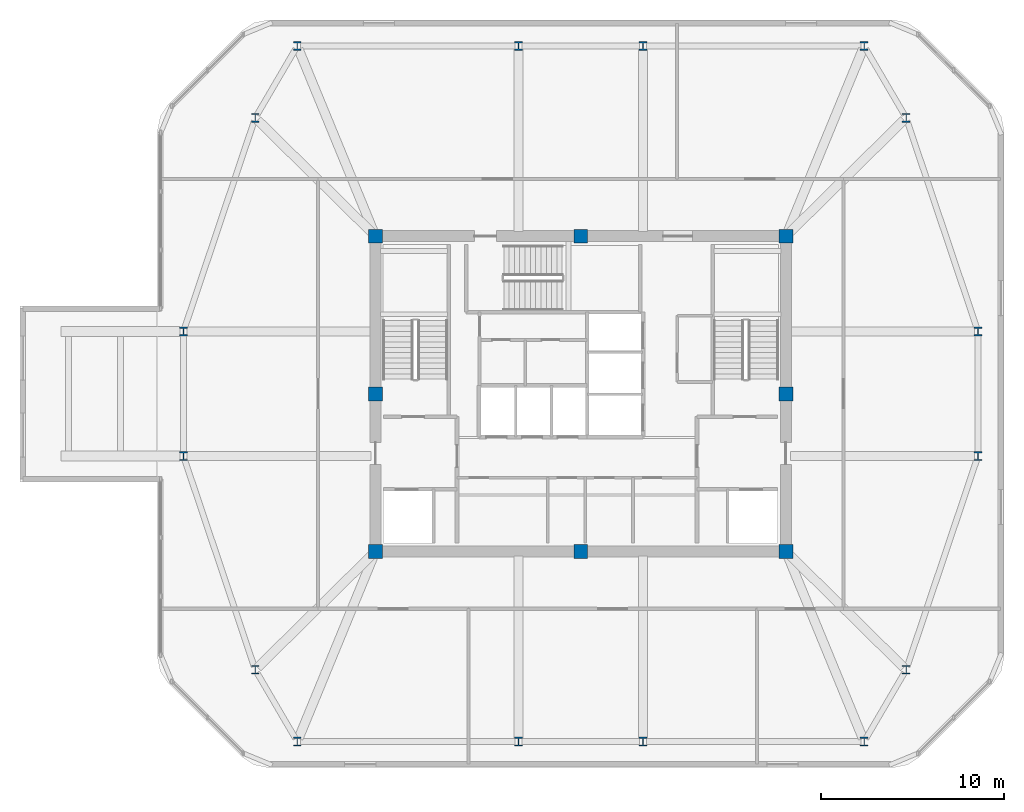
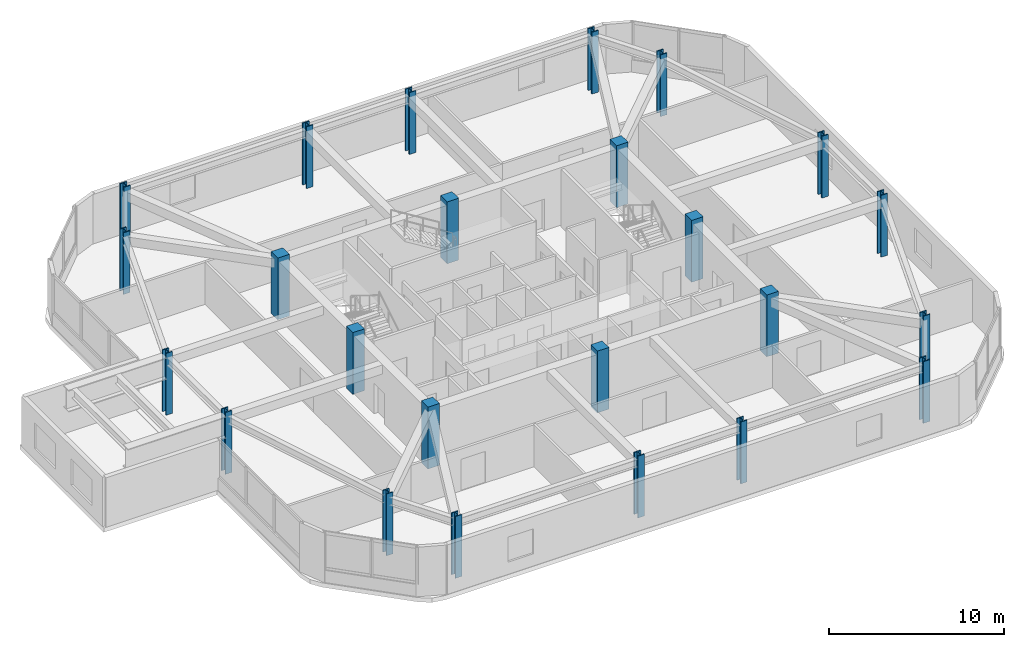
# One storey, part 1 of 9: 24 columns.
"""IFC4 building model written with IfcOpenShell, lengths in metres."""

from ifc_helpers import new_model, si_unit, derived_unit, direction, frame, origin, origin_2d, place, context, subcontext, project, spatial, rectangle, i_section, extrude, material, material_profile, profile_set, type_object, element, save


model = new_model("IFC4")

# Units and contexts
model_context = context("Model", 3, precision=1e-05, world=origin(), true_north=direction((0.0, 1.0)))
body_context = subcontext(model_context, "Body", "Model", "MODEL_VIEW")
ifc_project = project(units=[si_unit("LENGTHUNIT", "METRE"), si_unit("AREAUNIT", "SQUARE_METRE"), si_unit("VOLUMEUNIT", "CUBIC_METRE"), si_unit("PLANEANGLEUNIT", "RADIAN"), si_unit("MASSUNIT", "GRAM", prefix="KILO"), derived_unit("THERMALTRANSMITTANCEUNIT", [(si_unit("POWERUNIT", "WATT"), 1), (si_unit("LENGTHUNIT", "METRE"), -2), (si_unit("THERMODYNAMICTEMPERATUREUNIT", "KELVIN"), -1)])], contexts=[model_context])

# Site, building, storey
site_placement = place(None, origin())
site = spatial("IfcSite", under=ifc_project, at=site_placement, CompositionType="ELEMENT")
building_placement = place(site_placement, origin())
building = spatial("IfcBuilding", under=site, at=building_placement, Name="Koralith Skygarden Medical Center", CompositionType="ELEMENT")
storey_placement = place(building_placement, frame((0.0, 0.0, 290.340087890625)))
storey = spatial("IfcBuildingStorey", under=building, at=storey_placement, Name="L75", CompositionType="ELEMENT", Elevation=290.340087890625)

# Columns
ifc_material_1 = material(Name="Concrete C55/67", Category="concrete")
ifc_material_profile_1 = material_profile(ifc_material_1, rectangle(XDim=0.760009765625, YDim=0.760009765625, at=origin_2d()), Name="RC760X760")
ifc_profile_set_1 = profile_set([ifc_material_profile_1], Name="Concrete C55/67")
column_type_1 = type_object("IfcColumnType", Name="Core Crown Column C55 RC760", PredefinedType="COLUMN", material=ifc_profile_set_1)
for number, where, z_axis, x_axis, name in (
    (1, (25.800048828125, 17.300048828125, 0.0), (0.0, 0.0, 1.0), (1.0, 0.0, 0.0), "L75 Core Column CC-01"),
    (2, (37.0, 17.300048828125, 0.0), (0.0, 0.0, 1.0), (1.0, 0.0, 0.0), "L75 Core Column CC-02"),
    (3, (48.199951171875, 17.300048828125, 0.0), (0.0, 0.0, 1.0), (1.0, 0.0, 0.0), "L75 Core Column CC-03"),
    (4, (48.199951171875, 25.89990234375, 0.0), (0.0, 0.0, 1.0), (1.0, 0.0, 0.0), "L75 Core Column CC-04"),
    (5, (48.199951171875, 34.5, 0.0), (0.0, 0.0, 1.0), (1.0, 0.0, 0.0), "L75 Core Column CC-05"),
    (6, (37.0, 34.5, 0.0), (0.0, 0.0, 1.0), (1.0, 0.0, 0.0), "L75 Core Column CC-06"),
    (7, (25.800048828125, 34.5, 0.0), (0.0, 0.0, 1.0), (1.0, 0.0, 0.0), "L75 Core Column CC-07"),
    (8, (25.800048828125, 25.89990234375, 0.0), (0.0, 0.0, 1.0), (1.0, 0.0, 0.0), "L75 Core Column CC-08"),
):
    element("IfcColumn", number, at=place(storey_placement, frame(where, z_axis=z_axis, x_axis=x_axis)), inside=storey, type_object=column_type_1, Name=name, PredefinedType="COLUMN", context=body_context, shape_type="SweptSolid", body=[
        extrude(rectangle(XDim=0.760009765625, YDim=0.760009765625, at=origin_2d()), origin(), (0.0, 0.0, 1.0), 4.31982421875),
    ])
ifc_material_2 = material(Name="Steel ASTM A992 Grade 50", Category="steel")
ifc_material_profile_2 = material_profile(ifc_material_2, i_section(OverallWidth=0.427978515625, OverallDepth=0.48291015625, WebThickness=0.0419921875, FlangeThickness=0.068115234375, at=origin_2d()), Name="W14X455")
ifc_profile_set_2 = profile_set([ifc_material_profile_2], Name="Steel ASTM A992 Grade 50")
column_type_2 = type_object("IfcColumnType", Name="Crown Perimeter Column A992 W14X455", PredefinedType="COLUMN", material=ifc_profile_set_2)
for number, where, z_axis, x_axis, name in (
    (9, (15.320068359375, 22.5, 0.0), (0.0, 0.0, 1.0), (1.0, 0.0, 0.0), "L75 Perimeter Mega-Column MC-01"),
    (10, (19.239990234375, 10.840087890625, 0.0), (0.0, 0.0, 1.0), (1.0, 0.0, 0.0), "L75 Perimeter Mega-Column MC-02"),
    (11, (21.531982421875, 6.919921875, 0.0), (0.0, 0.0, 1.0), (1.0, 0.0, 0.0), "L75 Perimeter Mega-Column MC-03"),
    (12, (33.60009765625, 6.919921875, 0.0), (0.0, 0.0, 1.0), (1.0, 0.0, 0.0), "L75 Perimeter Mega-Column MC-04"),
    (13, (40.39990234375, 6.919921875, 0.0), (0.0, 0.0, 1.0), (1.0, 0.0, 0.0), "L75 Perimeter Mega-Column MC-05"),
    (14, (52.468017578125, 6.919921875, 0.0), (0.0, 0.0, 1.0), (1.0, 0.0, 0.0), "L75 Perimeter Mega-Column MC-06"),
    (15, (54.760009765625, 10.840087890625, 0.0), (0.0, 0.0, 1.0), (1.0, 0.0, 0.0), "L75 Perimeter Mega-Column MC-07"),
    (16, (58.679931640625, 22.5, 0.0), (0.0, 0.0, 1.0), (1.0, 0.0, 0.0), "L75 Perimeter Mega-Column MC-08"),
    (17, (58.679931640625, 29.300048828125, 0.0), (0.0, 0.0, 1.0), (1.0, 0.0, 0.0), "L75 Perimeter Mega-Column MC-09"),
    (18, (54.760009765625, 40.9599609375, 0.0), (0.0, 0.0, 1.0), (1.0, 0.0, 0.0), "L75 Perimeter Mega-Column MC-10"),
    (19, (52.468017578125, 44.8798828125, 0.0), (0.0, 0.0, 1.0), (1.0, 0.0, 0.0), "L75 Perimeter Mega-Column MC-11"),
    (20, (40.39990234375, 44.8798828125, 0.0), (0.0, 0.0, 1.0), (1.0, 0.0, 0.0), "L75 Perimeter Mega-Column MC-12"),
    (21, (33.60009765625, 44.8798828125, 0.0), (0.0, 0.0, 1.0), (1.0, 0.0, 0.0), "L75 Perimeter Mega-Column MC-13"),
    (22, (21.531982421875, 44.8798828125, 0.0), (0.0, 0.0, 1.0), (1.0, 0.0, 0.0), "L75 Perimeter Mega-Column MC-14"),
    (23, (19.239990234375, 40.9599609375, 0.0), (0.0, 0.0, 1.0), (1.0, 0.0, 0.0), "L75 Perimeter Mega-Column MC-15"),
    (24, (15.320068359375, 29.300048828125, 0.0), (0.0, 0.0, 1.0), (1.0, 0.0, 0.0), "L75 Perimeter Mega-Column MC-16"),
):
    element("IfcColumn", number, at=place(storey_placement, frame(where, z_axis=z_axis, x_axis=x_axis)), inside=storey, type_object=column_type_2, Name=name, PredefinedType="COLUMN", context=body_context, shape_type="SweptSolid", body=[
        extrude(i_section(OverallWidth=0.427978515625, OverallDepth=0.48291015625, WebThickness=0.0419921875, FlangeThickness=0.068115234375, at=origin_2d()), origin(), (0.0, 0.0, 1.0), 4.31982421875),
    ])

save(model, "model.ifc")
